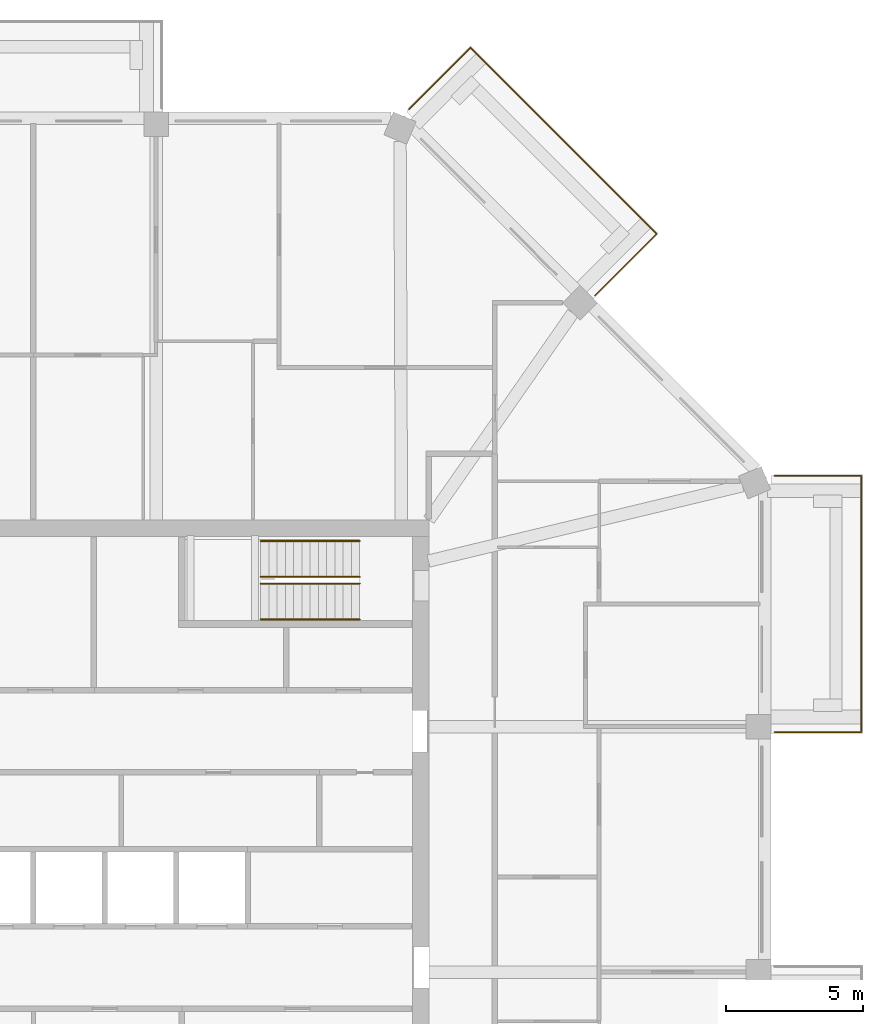
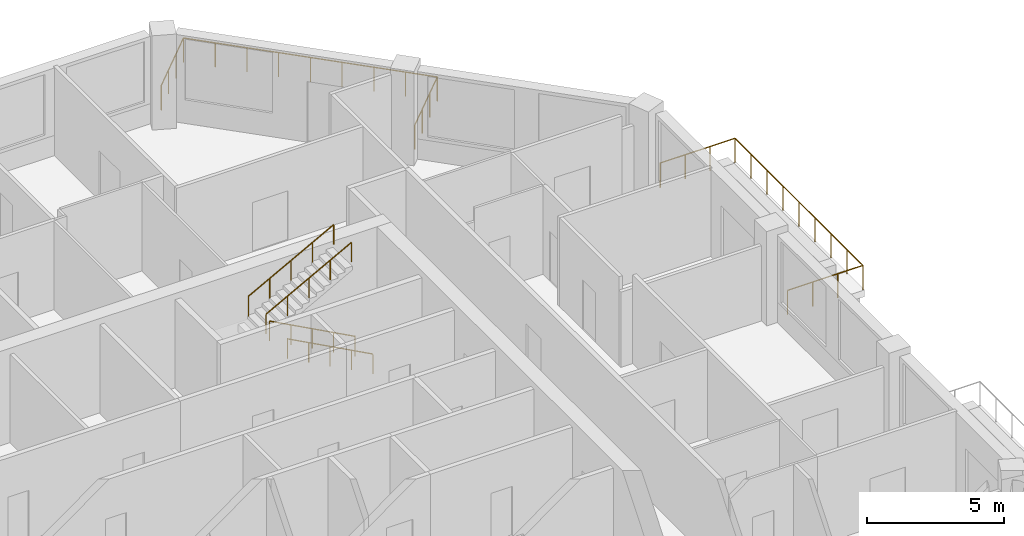
# One storey, part 12 of 12: 6 railings.
"""IFC4 building model written with IfcOpenShell, lengths in metres."""

from ifc_helpers import new_model, si_unit, direction, frame, origin, origin_2d, place, context, subcontext, project, spatial, circle, extrude, material, constituent, constituent_set, type_object, element, save


model = new_model("IFC4")

# Units and contexts
model_context = context("Model", 3, precision=1e-05, world=origin(), true_north=direction((0.0, 1.0)))
body_context = subcontext(model_context, "Body", "Model", "MODEL_VIEW")
ifc_project = project(units=[si_unit("LENGTHUNIT", "METRE"), si_unit("AREAUNIT", "SQUARE_METRE"), si_unit("VOLUMEUNIT", "CUBIC_METRE"), si_unit("PLANEANGLEUNIT", "RADIAN"), si_unit("MASSUNIT", "GRAM", prefix="KILO")], contexts=[model_context])

# Site, building, storey
site_placement = place(None, origin())
site = spatial("IfcSite", under=ifc_project, at=site_placement, CompositionType="ELEMENT")
building_placement = place(site_placement, origin())
building = spatial("IfcBuilding", under=site, at=building_placement, Name="Msitu Wima Residences", CompositionType="ELEMENT")
storey_placement = place(building_placement, frame((0.0, 0.0, 243.300048828125)))
storey = spatial("IfcBuildingStorey", under=building, at=storey_placement, Name="L56", CompositionType="ELEMENT", Elevation=243.300048828125)

# Railings
ifc_material_1 = material(Name="Steel S355", Category="steel")
ifc_constituent_1 = constituent(ifc_material_1, Name="Steel S355")
ifc_material_2 = material(Name="Weathering patina")
ifc_constituent_2 = constituent(ifc_material_2, Name="Weathering patina")
ifc_constituent_set_1 = constituent_set(constituents=[ifc_constituent_1, ifc_constituent_2], Name="Steel S355")
railing_type_1 = type_object("IfcRailingType", Name="Balcony guard GR1100", PredefinedType="GUARDRAIL", material=ifc_constituent_set_1)
railing_1_placement = place(storey_placement, frame((26.97998046875, 13.592041015625, 0.0)))
element("IfcRailing", 1, at=railing_1_placement, inside=storey, type_object=railing_type_1, Name="Balcony guard E2 L56", PredefinedType="GUARDRAIL", context=body_context, shape_type="SweptSolid", body=[
    extrude(circle(Radius=0.02392578125, at=origin_2d()), frame((0.0, 0.0, 1.076171875), z_axis=(0.923276184907, 0.384136806859, 0.0), x_axis=(-0.384136806859, 0.923276184907, 0.0)), (0.0, 0.0, 1.0), 0.0361328125),
    extrude(circle(Radius=0.02392578125, at=origin_2d()), frame((0.033447265625, 0.013916015625, 1.076171875), z_axis=(1.0, 0.0, 0.0), x_axis=(0.0, 1.0, 0.0)), (0.0, 0.0, 1.0), 3.136474609375),
    extrude(circle(Radius=0.02392578125, at=origin_2d()), frame((3.169921875, 0.013916015625, 1.076171875), z_axis=(0.0, -1.0, 0.0), x_axis=(1.0, 0.0, 0.0)), (0.0, 0.0, 1.0), 9.33740234375),
    extrude(circle(Radius=0.02392578125, at=origin_2d()), frame((3.169921875, -9.323486328125, 1.076171875), z_axis=(-1.0, 0.0, 0.0), x_axis=(0.0, -1.0, 0.0)), (0.0, 0.0, 1.0), 3.169921875),
    extrude(circle(Radius=0.02099609375, at=origin_2d()), origin(), (0.0, 0.0, 1.0), 1.052001953125),
    extrude(circle(Radius=0.02099609375, at=origin_2d()), frame((0.033447265625, 0.013916015625, 0.0)), (0.0, 0.0, 1.0), 1.052001953125),
    extrude(circle(Radius=0.02099609375, at=origin_2d()), frame((1.078857421875, 0.013916015625, 0.0)), (0.0, 0.0, 1.0), 1.052001953125),
    extrude(circle(Radius=0.02099609375, at=origin_2d()), frame((2.12451171875, 0.013916015625, 0.0)), (0.0, 0.0, 1.0), 1.052001953125),
    extrude(circle(Radius=0.02099609375, at=origin_2d()), frame((3.169921875, 0.013916015625, 0.0)), (0.0, 0.0, 1.0), 1.052001953125),
    extrude(circle(Radius=0.02099609375, at=origin_2d()), frame((3.169921875, -1.1533203125, 0.0)), (0.0, 0.0, 1.0), 1.052001953125),
    extrude(circle(Radius=0.02099609375, at=origin_2d()), frame((3.169921875, -2.3203125, 0.0)), (0.0, 0.0, 1.0), 1.052001953125),
    extrude(circle(Radius=0.02099609375, at=origin_2d()), frame((3.169921875, -3.487548828125, 0.0)), (0.0, 0.0, 1.0), 1.052001953125),
    extrude(circle(Radius=0.02099609375, at=origin_2d()), frame((3.169921875, -4.65478515625, 0.0)), (0.0, 0.0, 1.0), 1.052001953125),
    extrude(circle(Radius=0.02099609375, at=origin_2d()), frame((3.169921875, -5.822021484375, 0.0)), (0.0, 0.0, 1.0), 1.052001953125),
    extrude(circle(Radius=0.02099609375, at=origin_2d()), frame((3.169921875, -6.9892578125, 0.0)), (0.0, 0.0, 1.0), 1.052001953125),
    extrude(circle(Radius=0.02099609375, at=origin_2d()), frame((3.169921875, -8.15625, 0.0)), (0.0, 0.0, 1.0), 1.052001953125),
    extrude(circle(Radius=0.02099609375, at=origin_2d()), frame((3.169921875, -9.323486328125, 0.0)), (0.0, 0.0, 1.0), 1.052001953125),
    extrude(circle(Radius=0.02099609375, at=origin_2d()), frame((2.11328125, -9.323486328125, 0.0)), (0.0, 0.0, 1.0), 1.052001953125),
    extrude(circle(Radius=0.02099609375, at=origin_2d()), frame((1.056640625, -9.323486328125, 0.0)), (0.0, 0.0, 1.0), 1.052001953125),
    extrude(circle(Radius=0.02099609375, at=origin_2d()), frame((0.0, -9.323486328125, 0.0)), (0.0, 0.0, 1.0), 1.052001953125),
])
railing_2_placement = place(storey_placement, frame((13.684326171875, 26.941650390625, 0.0)))
element("IfcRailing", 2, at=railing_2_placement, inside=storey, type_object=railing_type_1, Name="Balcony guard NE1 L56", PredefinedType="GUARDRAIL", context=body_context, shape_type="SweptSolid", body=[
    extrude(circle(Radius=0.02392578125, at=origin_2d()), frame((0.0, 0.0, 1.076171875), z_axis=(0.38176015442, 0.92426142649, 0.0), x_axis=(-0.92426142649, 0.38176015442, 0.0)), (0.0, 0.0, 1.0), 0.036376953125),
    extrude(circle(Radius=0.02392578125, at=origin_2d()), frame((0.013916015625, 0.03369140625, 1.076171875), z_axis=(0.707106781187, 0.707106781187, 0.0), x_axis=(-0.707106781187, 0.707106781187, 0.0)), (0.0, 0.0, 1.0), 3.136474609375),
    extrude(circle(Radius=0.02392578125, at=origin_2d()), frame((2.231689453125, 2.25146484375, 1.076171875), z_axis=(0.707106781187, -0.707106781187, 0.0), x_axis=(0.707106781187, 0.707106781187, 0.0)), (0.0, 0.0, 1.0), 9.58837890625),
    extrude(circle(Radius=0.02392578125, at=origin_2d()), frame((9.01171875, -4.528564453125, 1.076171875), z_axis=(-0.707106781187, -0.707106781187, 0.0), x_axis=(0.707106781187, -0.707106781187, 0.0)), (0.0, 0.0, 1.0), 3.169921875),
    extrude(circle(Radius=0.02099609375, at=origin_2d()), origin(), (0.0, 0.0, 1.0), 1.052001953125),
    extrude(circle(Radius=0.02099609375, at=origin_2d()), frame((0.013916015625, 0.03369140625, 0.0)), (0.0, 0.0, 1.0), 1.052001953125),
    extrude(circle(Radius=0.02099609375, at=origin_2d()), frame((0.753173828125, 0.77294921875, 0.0)), (0.0, 0.0, 1.0), 1.052001953125),
    extrude(circle(Radius=0.02099609375, at=origin_2d()), frame((1.492431640625, 1.51220703125, 0.0)), (0.0, 0.0, 1.0), 1.052001953125),
    extrude(circle(Radius=0.02099609375, at=origin_2d()), frame((2.231689453125, 2.25146484375, 0.0)), (0.0, 0.0, 1.0), 1.052001953125),
    extrude(circle(Radius=0.02099609375, at=origin_2d()), frame((3.0791015625, 1.404052734375, 0.0)), (0.0, 0.0, 1.0), 1.052001953125),
    extrude(circle(Radius=0.02099609375, at=origin_2d()), frame((3.9267578125, 0.556396484375, 0.0)), (0.0, 0.0, 1.0), 1.052001953125),
    extrude(circle(Radius=0.02099609375, at=origin_2d()), frame((4.774169921875, -0.291015625, 0.0)), (0.0, 0.0, 1.0), 1.052001953125),
    extrude(circle(Radius=0.02099609375, at=origin_2d()), frame((5.62158203125, -1.138671875, 0.0)), (0.0, 0.0, 1.0), 1.052001953125),
    extrude(circle(Radius=0.02099609375, at=origin_2d()), frame((6.46923828125, -1.986083984375, 0.0)), (0.0, 0.0, 1.0), 1.052001953125),
    extrude(circle(Radius=0.02099609375, at=origin_2d()), frame((7.316650390625, -2.83349609375, 0.0)), (0.0, 0.0, 1.0), 1.052001953125),
    extrude(circle(Radius=0.02099609375, at=origin_2d()), frame((8.164306640625, -3.68115234375, 0.0)), (0.0, 0.0, 1.0), 1.052001953125),
    extrude(circle(Radius=0.02099609375, at=origin_2d()), frame((9.01171875, -4.528564453125, 0.0)), (0.0, 0.0, 1.0), 1.052001953125),
    extrude(circle(Radius=0.02099609375, at=origin_2d()), frame((8.2646484375, -5.275634765625, 0.0)), (0.0, 0.0, 1.0), 1.052001953125),
    extrude(circle(Radius=0.02099609375, at=origin_2d()), frame((7.517333984375, -6.02294921875, 0.0)), (0.0, 0.0, 1.0), 1.052001953125),
    extrude(circle(Radius=0.02099609375, at=origin_2d()), frame((6.770263671875, -6.77001953125, 0.0)), (0.0, 0.0, 1.0), 1.052001953125),
])
ifc_constituent_3 = constituent(ifc_material_1, Name="Steel S355")
ifc_material_3 = material(Name="Black powder coating")
ifc_constituent_4 = constituent(ifc_material_3, Name="Black powder coating")
ifc_constituent_set_2 = constituent_set(constituents=[ifc_constituent_3, ifc_constituent_4], Name="Steel S355")
railing_type_2 = type_object("IfcRailingType", Name="Stair handrail HR1", PredefinedType="HANDRAIL", material=ifc_constituent_set_2)
for number, where, name in (
    (3, (11.875, 8.375, 0.161376953125), "Stair 3 handrail"),
    (4, (11.875, 9.675048828125, 0.161376953125), "Stair 3 handrail"),
):
    element("IfcRailing", number, at=place(storey_placement, frame(where)), inside=storey, type_object=railing_type_2, Name=name, PredefinedType="HANDRAIL", context=body_context, shape_type="SweptSolid", body=[
        extrude(circle(Radius=0.02392578125, at=origin_2d()), frame((0.0, 0.0, 0.8759765625), z_axis=(-0.880474934443, 0.0, 0.474092701714), x_axis=(0.0, -1.0, 0.0)), (0.0, 0.0, 1.0), 4.0888671875),
        extrude(circle(Radius=0.02099609375, at=origin_2d()), origin(), (0.0, 0.0, 1.0), 0.851806640625),
        extrude(circle(Radius=0.02099609375, at=origin_2d()), frame((-0.89990234375, 0.0, 0.484619140625)), (0.0, 0.0, 1.0), 0.851806640625),
        extrude(circle(Radius=0.02099609375, at=origin_2d()), frame((-1.800048828125, 0.0, 0.96923828125)), (0.0, 0.0, 1.0), 0.851806640625),
        extrude(circle(Radius=0.02099609375, at=origin_2d()), frame((-2.7001953125, 0.0, 1.453857421875)), (0.0, 0.0, 1.0), 0.851806640625),
        extrude(circle(Radius=0.02099609375, at=origin_2d()), frame((-3.60009765625, 0.0, 1.9384765625)), (0.0, 0.0, 1.0), 0.851806640625),
    ])
for number, where, name in (
    (5, (8.27490234375, 9.925048828125, 2.261474609375), "Stair 3 handrail"),
    (6, (8.27490234375, 11.22509765625, 2.261474609375), "Stair 3 handrail"),
):
    element("IfcRailing", number, at=place(storey_placement, frame(where)), inside=storey, type_object=railing_type_2, Name=name, PredefinedType="HANDRAIL", context=body_context, shape_type="SweptSolid", body=[
        extrude(circle(Radius=0.02392578125, at=origin_2d()), frame((0.0, 0.0, 0.8759765625), z_axis=(0.880474934443, 0.0, 0.474092701714), x_axis=(0.0, 1.0, 0.0)), (0.0, 0.0, 1.0), 4.0888671875),
        extrude(circle(Radius=0.02099609375, at=origin_2d()), origin(), (0.0, 0.0, 1.0), 0.851806640625),
        extrude(circle(Radius=0.02099609375, at=origin_2d()), frame((0.89990234375, 0.0, 0.484619140625)), (0.0, 0.0, 1.0), 0.851806640625),
        extrude(circle(Radius=0.02099609375, at=origin_2d()), frame((1.800048828125, 0.0, 0.96923828125)), (0.0, 0.0, 1.0), 0.851806640625),
        extrude(circle(Radius=0.02099609375, at=origin_2d()), frame((2.7001953125, 0.0, 1.453857421875)), (0.0, 0.0, 1.0), 0.851806640625),
        extrude(circle(Radius=0.02099609375, at=origin_2d()), frame((3.60009765625, 0.0, 1.9384765625)), (0.0, 0.0, 1.0), 0.851806640625),
    ])

save(model, "model.ifc")
